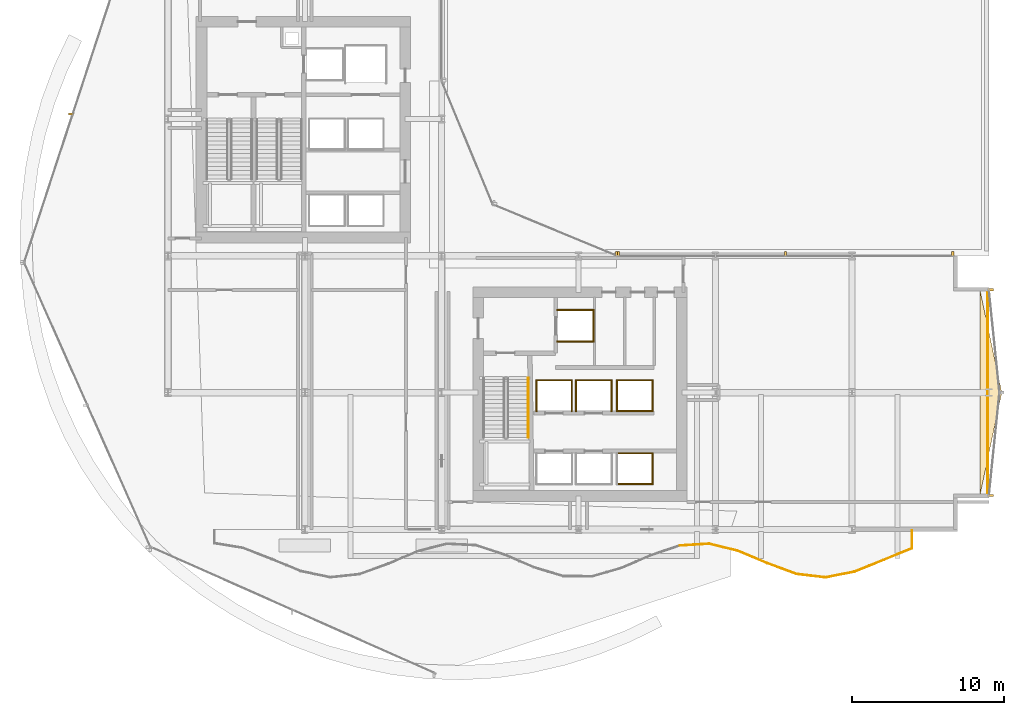
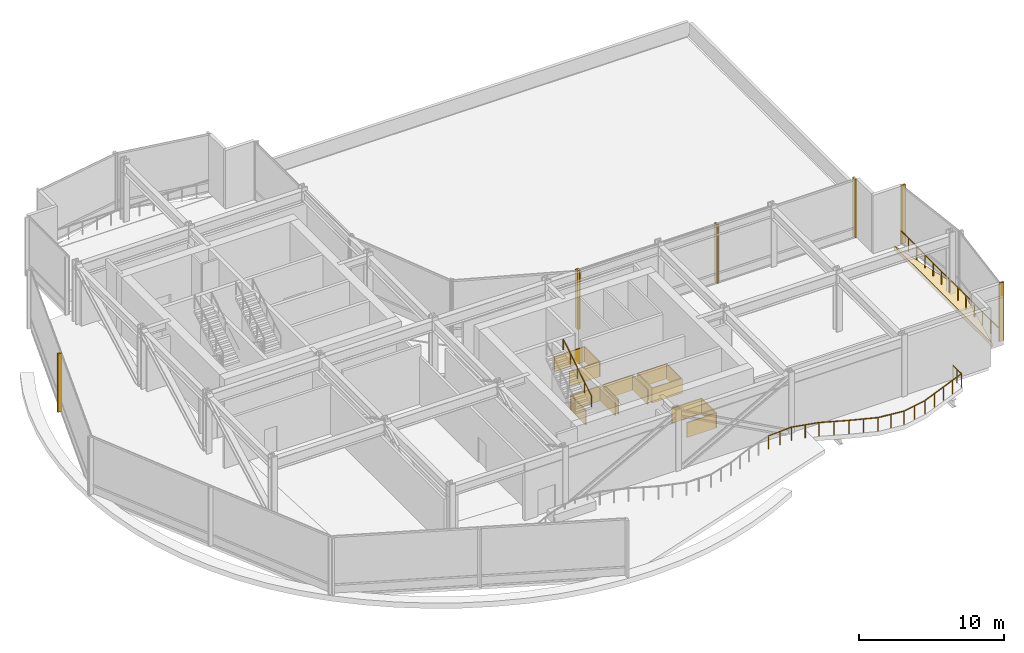
# One storey, part 34 of 37: 17 coverings, 11 railings, 7 shading devices.
"""IFC4 building model written with IfcOpenShell, lengths in metres."""

from ifc_helpers import new_model, si_unit, direction, frame, origin, origin_2d, place, context, subcontext, project, spatial, polyline, rectangle, circle, outline, extrude, material, layer, layer_set, type_object, element, save


model = new_model("IFC4")

# Units and contexts
model_context = context("Model", 3, precision=1e-05, world=origin(), true_north=direction((0.0, 1.0)))
body_context = subcontext(model_context, "Body", "Model", "MODEL_VIEW")
ifc_project = project(units=[si_unit("LENGTHUNIT", "METRE"), si_unit("AREAUNIT", "SQUARE_METRE"), si_unit("VOLUMEUNIT", "CUBIC_METRE"), si_unit("PLANEANGLEUNIT", "RADIAN"), si_unit("MASSUNIT", "GRAM", prefix="KILO")], contexts=[model_context])

# Site, building, storey
site_placement = place(None, origin())
site = spatial("IfcSite", under=ifc_project, at=site_placement, CompositionType="ELEMENT")
building_placement = place(site_placement, origin())
building = spatial("IfcBuilding", under=site, at=building_placement, Name="Solvaryn Broadcast Tower", CompositionType="ELEMENT")
storey_placement = place(building_placement, frame((0.0, 0.0, 30.800048828125)))
storey = spatial("IfcBuildingStorey", under=building, at=storey_placement, Name="L06", CompositionType="ELEMENT", Elevation=30.800048828125)

# Coverings
ifc_material_1 = material(Name="Fire-Rated Gypsum Shaftwall Liner", Category="concrete")
ifc_layer_1 = layer(ifc_material_1, 0.080078125)
ifc_layer_set_1 = layer_set([ifc_layer_1], Name="CV-SHAFT-LINER")
covering_type_1 = type_object("IfcCoveringType", Name="CV-SHAFT-LINER", PredefinedType="CLADDING", material=ifc_layer_set_1)
for number, where, z_axis, x_axis, name in (
    (1, (35.800048828125, 23.43994140625, 0.0), (0.0, 0.0, 1.0), (1.0, 0.0, 0.0), "L06 FL2 Hoistway Shaft Liner North"),
    (2, (35.800048828125, 21.360107421875, 0.0), (0.0, 0.0, 1.0), (1.0, 0.0, 0.0), "L06 FL2 Hoistway Shaft Liner South"),
):
    element("IfcCovering", number, at=place(storey_placement, frame(where, z_axis=z_axis, x_axis=x_axis)), inside=storey, type_object=covering_type_1, Name=name, PredefinedType="CLADDING", context=body_context, shape_type="SweptSolid", body=[
        extrude(rectangle(XDim=2.4599609375, YDim=0.080078125, at=origin_2d()), origin(), (0.0, 0.0, 1.0), 1.25),
    ])
covering_1_placement = place(storey_placement, frame((36.989990234375, 22.39990234375, 0.0), z_axis=(0.0, 0.0, 1.0), x_axis=(1.0, 0.0, 0.0)))
element("IfcCovering", 3, at=covering_1_placement, inside=storey, type_object=covering_type_1, Name="L06 FL2 Hoistway Shaft Liner East", PredefinedType="CLADDING", context=body_context, shape_type="SweptSolid", body=[
    extrude(rectangle(XDim=0.080078125, YDim=2.159912109375, at=origin_2d()), origin(), (0.0, 0.0, 1.0), 1.25),
])
covering_2_placement = place(storey_placement, frame((34.39990234375, 18.81494140625, 0.0), z_axis=(0.0, 0.0, 1.0), x_axis=(1.0, 0.0, 0.0)))
element("IfcCovering", 4, at=covering_2_placement, inside=storey, type_object=covering_type_1, Name="L06 PL3 Hoistway Shaft Liner North", PredefinedType="CLADDING", context=body_context, shape_type="SweptSolid", body=[
    extrude(rectangle(XDim=2.409912109375, YDim=0.080078125, at=origin_2d()), origin(), (0.0, 0.0, 1.0), 1.25),
])
for number, where, z_axis, x_axis, name in (
    (5, (35.56494140625, 17.800048828125, 0.0), (0.0, 0.0, 1.0), (1.0, 0.0, 0.0), "L06 PL3 Hoistway Shaft Liner East"),
    (6, (33.235107421875, 17.800048828125, 0.0), (0.0, 0.0, 1.0), (1.0, 0.0, 0.0), "L06 PL3 Hoistway Shaft Liner West"),
):
    element("IfcCovering", number, at=place(storey_placement, frame(where, z_axis=z_axis, x_axis=x_axis)), inside=storey, type_object=covering_type_1, Name=name, PredefinedType="CLADDING", context=body_context, shape_type="SweptSolid", body=[
        extrude(rectangle(XDim=0.080078125, YDim=2.110107421875, at=origin_2d()), origin(), (0.0, 0.0, 1.0), 1.25),
    ])
covering_3_placement = place(storey_placement, frame((37.0, 18.81494140625, 0.0), z_axis=(0.0, 0.0, 1.0), x_axis=(1.0, 0.0, 0.0)))
element("IfcCovering", 7, at=covering_3_placement, inside=storey, type_object=covering_type_1, Name="L06 PL4 Hoistway Shaft Liner North", PredefinedType="CLADDING", context=body_context, shape_type="SweptSolid", body=[
    extrude(rectangle(XDim=2.409912109375, YDim=0.080078125, at=origin_2d()), origin(), (0.0, 0.0, 1.0), 1.25),
])
for number, where, z_axis, x_axis, name in (
    (8, (38.1650390625, 17.800048828125, 0.0), (0.0, 0.0, 1.0), (1.0, 0.0, 0.0), "L06 PL4 Hoistway Shaft Liner East"),
    (9, (35.8349609375, 17.800048828125, 0.0), (0.0, 0.0, 1.0), (1.0, 0.0, 0.0), "L06 PL4 Hoistway Shaft Liner West"),
):
    element("IfcCovering", number, at=place(storey_placement, frame(where, z_axis=z_axis, x_axis=x_axis)), inside=storey, type_object=covering_type_1, Name=name, PredefinedType="CLADDING", context=body_context, shape_type="SweptSolid", body=[
        extrude(rectangle(XDim=0.080078125, YDim=2.110107421875, at=origin_2d()), origin(), (0.0, 0.0, 1.0), 1.25),
    ])
for number, where, z_axis, x_axis, name in (
    (10, (39.699951171875, 14.014892578125, 0.0), (0.0, 0.0, 1.0), (1.0, 0.0, 0.0), "L06 PM1 Hoistway Shaft Liner North"),
    (11, (39.699951171875, 11.985107421875, 0.0), (0.0, 0.0, 1.0), (1.0, 0.0, 0.0), "L06 PM1 Hoistway Shaft Liner South"),
):
    element("IfcCovering", number, at=place(storey_placement, frame(where, z_axis=z_axis, x_axis=x_axis)), inside=storey, type_object=covering_type_1, Name=name, PredefinedType="CLADDING", context=body_context, shape_type="SweptSolid", body=[
        extrude(rectangle(XDim=2.409912109375, YDim=0.080078125, at=origin_2d()), origin(), (0.0, 0.0, 1.0), 1.25),
    ])
covering_4_placement = place(storey_placement, frame((40.864990234375, 13.0, 0.0), z_axis=(0.0, 0.0, 1.0), x_axis=(1.0, 0.0, 0.0)))
element("IfcCovering", 12, at=covering_4_placement, inside=storey, type_object=covering_type_1, Name="L06 PM1 Hoistway Shaft Liner East", PredefinedType="CLADDING", context=body_context, shape_type="SweptSolid", body=[
    extrude(rectangle(XDim=0.080078125, YDim=2.110107421875, at=origin_2d()), origin(), (0.0, 0.0, 1.0), 1.25),
])
for number, where, z_axis, x_axis, name in (
    (13, (39.699951171875, 18.81494140625, 0.0), (0.0, 0.0, 1.0), (1.0, 0.0, 0.0), "L06 PM2 Hoistway Shaft Liner North"),
    (14, (39.699951171875, 16.784912109375, 0.0), (0.0, 0.0, 1.0), (1.0, 0.0, 0.0), "L06 PM2 Hoistway Shaft Liner South"),
):
    element("IfcCovering", number, at=place(storey_placement, frame(where, z_axis=z_axis, x_axis=x_axis)), inside=storey, type_object=covering_type_1, Name=name, PredefinedType="CLADDING", context=body_context, shape_type="SweptSolid", body=[
        extrude(rectangle(XDim=2.409912109375, YDim=0.080078125, at=origin_2d()), origin(), (0.0, 0.0, 1.0), 1.25),
    ])
for number, where, z_axis, x_axis, name in (
    (15, (40.864990234375, 17.800048828125, 0.0), (0.0, 0.0, 1.0), (1.0, 0.0, 0.0), "L06 PM2 Hoistway Shaft Liner East"),
    (16, (38.534912109375, 17.800048828125, 0.0), (0.0, 0.0, 1.0), (1.0, 0.0, 0.0), "L06 PM2 Hoistway Shaft Liner West"),
):
    element("IfcCovering", number, at=place(storey_placement, frame(where, z_axis=z_axis, x_axis=x_axis)), inside=storey, type_object=covering_type_1, Name=name, PredefinedType="CLADDING", context=body_context, shape_type="SweptSolid", body=[
        extrude(rectangle(XDim=0.080078125, YDim=2.110107421875, at=origin_2d()), origin(), (0.0, 0.0, 1.0), 1.25),
    ])
ifc_material_2 = material(Name="Sculpted Architectural Terracotta Wave Fascia", Category="masonry")
ifc_layer_2 = layer(ifc_material_2, 0.340087890625)
ifc_layer_set_2 = layer_set([ifc_layer_2], Name="CV-WAVE-TRAY")
covering_type_2 = type_object("IfcCoveringType", Name="CV-WAVE-TRAY", PredefinedType="CLADDING", material=ifc_layer_set_2)
covering_5_placement = place(storey_placement, frame((0.0, 0.0, -0.300048828125)))
element("IfcCovering", 17, at=covering_5_placement, inside=storey, type_object=covering_type_2, Name="L06 East Curved Wing Deck", PredefinedType="CLADDING", context=body_context, shape_type="SweptSolid", body=[
    extrude(outline(polyline([(62.39990234375, 11.199951171875), (63.85009765625, 18.0), (62.39990234375, 24.800048828125), (62.39990234375, 11.199951171875)])), origin(), (0.0, 0.0, 1.0), 0.330078125),
])

# Railings
ifc_material_3 = material(Name="Brushed Stainless Steel Tubular Handrail", Category="steel")
railing_type_1 = type_object("IfcRailingType", Name="RL-STAIR-HANDRAIL", PredefinedType="HANDRAIL", material=ifc_material_3)
railing_1_placement = place(storey_placement, frame((32.699951171875, 15.0400390625, 2.773193359375)))
element("IfcRailing", 18, at=railing_1_placement, inside=storey, type_object=railing_type_1, Name="L06 ST3 stair handrail 2", PredefinedType="HANDRAIL", context=body_context, shape_type="SweptSolid", body=[
    extrude(circle(Radius=0.02392578125, at=origin_2d()), frame((0.0, 0.0, 0.8759765625), z_axis=(0.0, 0.850251603719, 0.526376491091), x_axis=(-1.0, 0.0, 0.0)), (0.0, 0.0, 1.0), 4.6103515625),
    extrude(circle(Radius=0.02099609375, at=origin_2d()), origin(), (0.0, 0.0, 1.0), 0.851806640625),
    extrude(circle(Radius=0.02099609375, at=origin_2d()), frame((0.0, 0.97998046875, 0.606689453125)), (0.0, 0.0, 1.0), 0.851806640625),
    extrude(circle(Radius=0.02099609375, at=origin_2d()), frame((0.0, 1.9599609375, 1.21337890625)), (0.0, 0.0, 1.0), 0.851806640625),
    extrude(circle(Radius=0.02099609375, at=origin_2d()), frame((0.0, 2.93994140625, 1.820068359375)), (0.0, 0.0, 1.0), 0.851806640625),
    extrude(circle(Radius=0.02099609375, at=origin_2d()), frame((0.0, 3.919921875, 2.4267578125)), (0.0, 0.0, 1.0), 0.851806640625),
])
ifc_material_4 = material(Name="Stainless Steel and Laminated Glass Guard", Category="steel")
railing_type_2 = type_object("IfcRailingType", Name="RL-TER-1150", PredefinedType="BALUSTRADE", material=ifc_material_4)
railing_2_placement = place(storey_placement, frame((62.919921875, 11.199951171875, 0.0)))
element("IfcRailing", 19, at=railing_2_placement, inside=storey, type_object=railing_type_2, Name="L06 East Wing Spandrel Edge Guard", PredefinedType="BALUSTRADE", context=body_context, shape_type="SweptSolid", body=[
    extrude(circle(Radius=0.02392578125, at=origin_2d()), frame((0.0, 0.0, 1.1259765625), z_axis=(0.0, 1.0, 0.0), x_axis=(-1.0, 0.0, 0.0)), (0.0, 0.0, 1.0), 13.60009765625),
    extrude(circle(Radius=0.02099609375, at=origin_2d()), origin(), (0.0, 0.0, 1.0), 1.101806640625),
    extrude(circle(Radius=0.02099609375, at=origin_2d()), frame((0.0, 1.13330078125, 0.0)), (0.0, 0.0, 1.0), 1.101806640625),
    extrude(circle(Radius=0.02099609375, at=origin_2d()), frame((0.0, 2.2666015625, 0.0)), (0.0, 0.0, 1.0), 1.101806640625),
    extrude(circle(Radius=0.02099609375, at=origin_2d()), frame((0.0, 3.39990234375, 0.0)), (0.0, 0.0, 1.0), 1.101806640625),
    extrude(circle(Radius=0.02099609375, at=origin_2d()), frame((0.0, 4.533447265625, 0.0)), (0.0, 0.0, 1.0), 1.101806640625),
    extrude(circle(Radius=0.02099609375, at=origin_2d()), frame((0.0, 5.666748046875, 0.0)), (0.0, 0.0, 1.0), 1.101806640625),
    extrude(circle(Radius=0.02099609375, at=origin_2d()), frame((0.0, 6.800048828125, 0.0)), (0.0, 0.0, 1.0), 1.101806640625),
    extrude(circle(Radius=0.02099609375, at=origin_2d()), frame((0.0, 7.933349609375, 0.0)), (0.0, 0.0, 1.0), 1.101806640625),
    extrude(circle(Radius=0.02099609375, at=origin_2d()), frame((0.0, 9.066650390625, 0.0)), (0.0, 0.0, 1.0), 1.101806640625),
    extrude(circle(Radius=0.02099609375, at=origin_2d()), frame((0.0, 10.2001953125, 0.0)), (0.0, 0.0, 1.0), 1.101806640625),
    extrude(circle(Radius=0.02099609375, at=origin_2d()), frame((0.0, 11.33349609375, 0.0)), (0.0, 0.0, 1.0), 1.101806640625),
    extrude(circle(Radius=0.02099609375, at=origin_2d()), frame((0.0, 12.466796875, 0.0)), (0.0, 0.0, 1.0), 1.101806640625),
    extrude(circle(Radius=0.02099609375, at=origin_2d()), frame((0.0, 13.60009765625, 0.0)), (0.0, 0.0, 1.0), 1.101806640625),
])
railing_3_placement = place(storey_placement, frame((42.666748046875, 7.934326171875, 0.0)))
element("IfcRailing", 20, at=railing_3_placement, inside=storey, type_object=railing_type_2, Name="L06 Terrace Guard TS06S-18", PredefinedType="BALUSTRADE", context=body_context, shape_type="SweptSolid", body=[
    extrude(circle(Radius=0.02392578125, at=origin_2d()), frame((0.0, 0.0, 1.1259765625), z_axis=(0.998001794113, 0.063185591296, 0.0), x_axis=(-0.063185591296, 0.998001794113, 0.0)), (0.0, 0.0, 1.0), 1.92041015625),
    extrude(circle(Radius=0.02099609375, at=origin_2d()), origin(), (0.0, 0.0, 1.0), 1.101806640625),
    extrude(circle(Radius=0.02099609375, at=origin_2d()), frame((0.958251953125, 0.060546875, 0.0)), (0.0, 0.0, 1.0), 1.101806640625),
    extrude(circle(Radius=0.02099609375, at=origin_2d()), frame((1.91650390625, 0.121337890625, 0.0)), (0.0, 0.0, 1.0), 1.101806640625),
])
railing_4_placement = place(storey_placement, frame((44.583251953125, 8.0556640625, 0.0)))
element("IfcRailing", 21, at=railing_4_placement, inside=storey, type_object=railing_type_2, Name="L06 Terrace Guard TS06S-19", PredefinedType="BALUSTRADE", context=body_context, shape_type="SweptSolid", body=[
    extrude(circle(Radius=0.02392578125, at=origin_2d()), frame((0.0, 0.0, 1.1259765625), z_axis=(0.971145469944, -0.238487895307, 0.0), x_axis=(0.238487895307, 0.971145469944, 0.0)), (0.0, 0.0, 1.0), 1.9736328125),
    extrude(circle(Radius=0.02099609375, at=origin_2d()), origin(), (0.0, 0.0, 1.0), 1.101806640625),
    extrude(circle(Radius=0.02099609375, at=origin_2d()), frame((0.95849609375, -0.2353515625, 0.0)), (0.0, 0.0, 1.0), 1.101806640625),
    extrude(circle(Radius=0.02099609375, at=origin_2d()), frame((1.916748046875, -0.470703125, 0.0)), (0.0, 0.0, 1.0), 1.101806640625),
])
railing_5_placement = place(storey_placement, frame((46.5, 7.5849609375, 0.0)))
element("IfcRailing", 22, at=railing_5_placement, inside=storey, type_object=railing_type_2, Name="L06 Terrace Guard TS06S-20", PredefinedType="BALUSTRADE", context=body_context, shape_type="SweptSolid", body=[
    extrude(circle(Radius=0.02392578125, at=origin_2d()), frame((0.0, 0.0, 1.1259765625), z_axis=(0.921412096181, -0.388586861604, 0.0), x_axis=(0.388586861604, 0.921412096181, 0.0)), (0.0, 0.0, 1.0), 2.080322265625),
    extrude(circle(Radius=0.02099609375, at=origin_2d()), origin(), (0.0, 0.0, 1.0), 1.101806640625),
    extrude(circle(Radius=0.02099609375, at=origin_2d()), frame((0.95849609375, -0.404296875, 0.0)), (0.0, 0.0, 1.0), 1.101806640625),
    extrude(circle(Radius=0.02099609375, at=origin_2d()), frame((1.916748046875, -0.808349609375, 0.0)), (0.0, 0.0, 1.0), 1.101806640625),
])
railing_6_placement = place(storey_placement, frame((48.416748046875, 6.776611328125, 0.0)))
element("IfcRailing", 23, at=railing_6_placement, inside=storey, type_object=railing_type_2, Name="L06 Terrace Guard TS06S-21", PredefinedType="BALUSTRADE", context=body_context, shape_type="SweptSolid", body=[
    extrude(circle(Radius=0.02392578125, at=origin_2d()), frame((0.0, 0.0, 1.1259765625), z_axis=(0.937842400609, -0.34706142341, 0.0), x_axis=(0.34706142341, 0.937842400609, 0.0)), (0.0, 0.0, 1.0), 2.04345703125),
    extrude(circle(Radius=0.02099609375, at=origin_2d()), origin(), (0.0, 0.0, 1.0), 1.101806640625),
    extrude(circle(Radius=0.02099609375, at=origin_2d()), frame((0.958251953125, -0.3544921875, 0.0)), (0.0, 0.0, 1.0), 1.101806640625),
    extrude(circle(Radius=0.02099609375, at=origin_2d()), frame((1.91650390625, -0.709228515625, 0.0)), (0.0, 0.0, 1.0), 1.101806640625),
])
railing_7_placement = place(storey_placement, frame((50.333251953125, 6.0673828125, 0.0)))
element("IfcRailing", 24, at=railing_7_placement, inside=storey, type_object=railing_type_2, Name="L06 Terrace Guard TS06S-22", PredefinedType="BALUSTRADE", context=body_context, shape_type="SweptSolid", body=[
    extrude(circle(Radius=0.02392578125, at=origin_2d()), frame((0.0, 0.0, 1.1259765625), z_axis=(0.993057040946, -0.117633810735, 0.0), x_axis=(0.117633810735, 0.993057040946, 0.0)), (0.0, 0.0, 1.0), 1.93017578125),
    extrude(circle(Radius=0.02099609375, at=origin_2d()), origin(), (0.0, 0.0, 1.0), 1.101806640625),
    extrude(circle(Radius=0.02099609375, at=origin_2d()), frame((0.95849609375, -0.113525390625, 0.0)), (0.0, 0.0, 1.0), 1.101806640625),
    extrude(circle(Radius=0.02099609375, at=origin_2d()), frame((1.916748046875, -0.22705078125, 0.0)), (0.0, 0.0, 1.0), 1.101806640625),
])
railing_8_placement = place(storey_placement, frame((52.25, 5.84033203125, 0.0)))
element("IfcRailing", 25, at=railing_8_placement, inside=storey, type_object=railing_type_2, Name="L06 Terrace Guard TS06S-23", PredefinedType="BALUSTRADE", context=body_context, shape_type="SweptSolid", body=[
    extrude(circle(Radius=0.02392578125, at=origin_2d()), frame((0.0, 0.0, 1.1259765625), z_axis=(0.981110557359, 0.193447859227, 0.0), x_axis=(-0.193447859227, 0.981110557359, 0.0)), (0.0, 0.0, 1.0), 1.95361328125),
    extrude(circle(Radius=0.02099609375, at=origin_2d()), origin(), (0.0, 0.0, 1.0), 1.101806640625),
    extrude(circle(Radius=0.02099609375, at=origin_2d()), frame((0.95849609375, 0.18896484375, 0.0)), (0.0, 0.0, 1.0), 1.101806640625),
    extrude(circle(Radius=0.02099609375, at=origin_2d()), frame((1.916748046875, 0.3779296875, 0.0)), (0.0, 0.0, 1.0), 1.101806640625),
])
railing_9_placement = place(storey_placement, frame((54.166748046875, 6.21826171875, 0.0)))
element("IfcRailing", 26, at=railing_9_placement, inside=storey, type_object=railing_type_2, Name="L06 Terrace Guard TS06S-24", PredefinedType="BALUSTRADE", context=body_context, shape_type="SweptSolid", body=[
    extrude(circle(Radius=0.02392578125, at=origin_2d()), frame((0.0, 0.0, 1.1259765625), z_axis=(0.926469149238, 0.376370715531, 0.0), x_axis=(-0.376370715531, 0.926469149238, 0.0)), (0.0, 0.0, 1.0), 2.068603515625),
    extrude(circle(Radius=0.02099609375, at=origin_2d()), origin(), (0.0, 0.0, 1.0), 1.101806640625),
    extrude(circle(Radius=0.02099609375, at=origin_2d()), frame((0.958251953125, 0.38916015625, 0.0)), (0.0, 0.0, 1.0), 1.101806640625),
    extrude(circle(Radius=0.02099609375, at=origin_2d()), frame((1.91650390625, 0.778564453125, 0.0)), (0.0, 0.0, 1.0), 1.101806640625),
])
railing_10_placement = place(storey_placement, frame((56.083251953125, 6.996826171875, 0.0)))
element("IfcRailing", 27, at=railing_10_placement, inside=storey, type_object=railing_type_2, Name="L06 Terrace Guard TS06S-25", PredefinedType="BALUSTRADE", context=body_context, shape_type="SweptSolid", body=[
    extrude(circle(Radius=0.02392578125, at=origin_2d()), frame((0.0, 0.0, 1.1259765625), z_axis=(0.925680682726, 0.378305793808, 0.0), x_axis=(-0.378305793808, 0.925680682726, 0.0)), (0.0, 0.0, 1.0), 2.005859375),
    extrude(circle(Radius=0.02099609375, at=origin_2d()), origin(), (0.0, 0.0, 1.0), 1.101806640625),
    extrude(circle(Radius=0.02099609375, at=origin_2d()), frame((0.92822265625, 0.37939453125, 0.0)), (0.0, 0.0, 1.0), 1.101806640625),
    extrude(circle(Radius=0.02099609375, at=origin_2d()), frame((1.856689453125, 0.7587890625, 0.0)), (0.0, 0.0, 1.0), 1.101806640625),
])
railing_11_placement = place(storey_placement, frame((57.93994140625, 7.755615234375, 0.0)))
element("IfcRailing", 28, at=railing_11_placement, inside=storey, type_object=railing_type_2, Name="L06 Terrace Guard TS06S-26", PredefinedType="BALUSTRADE", context=body_context, shape_type="SweptSolid", body=[
    extrude(circle(Radius=0.02392578125, at=origin_2d()), frame((0.0, 0.0, 1.1259765625), z_axis=(0.0, 1.0, 0.0), x_axis=(-1.0, 0.0, 0.0)), (0.0, 0.0, 1.0), 1.184326171875),
    extrude(circle(Radius=0.02099609375, at=origin_2d()), origin(), (0.0, 0.0, 1.0), 1.101806640625),
    extrude(circle(Radius=0.02099609375, at=origin_2d()), frame((0.0, 0.59228515625, 0.0)), (0.0, 0.0, 1.0), 1.101806640625),
    extrude(circle(Radius=0.02099609375, at=origin_2d()), frame((0.0, 1.184326171875, 0.0)), (0.0, 0.0, 1.0), 1.101806640625),
])

# Shading devices
ifc_material_5 = material(Name="Anodised Aluminium Acoustic Louvre", Category="aluminium")
shading_device_type = type_object("IfcShadingDeviceType", Name="LV-01 Plant Intake Louvre", PredefinedType="USERDEFINED", material=ifc_material_5)
shading_device_1_placement = place(storey_placement, frame((2.612060546875, 36.325439453125, 0.0), z_axis=(0.0, 0.0, 1.0), x_axis=(1.0, 0.0, 0.0)))
element("IfcShadingDevice", 29, at=shading_device_1_placement, inside=storey, type_object=shading_device_type, Name="L06 Plant Acoustic Louvre LV-CW-L06-DR1/M01", ObjectType="LOUVRE", PredefinedType="USERDEFINED", context=body_context, shape_type="SweptSolid", body=[
    extrude(rectangle(XDim=0.340087890625, YDim=0.139892578125, at=origin_2d()), origin(), (0.0, 0.0, 1.0), 4.919921875),
])
shading_device_2_placement = place(storey_placement, frame((38.518310546875, 27.12255859375, 0.0), z_axis=(0.0, 0.0, 1.0), x_axis=(1.0, 0.0, 0.0)))
element("IfcShadingDevice", 30, at=shading_device_2_placement, inside=storey, type_object=shading_device_type, Name="L06 Plant Acoustic Louvre LV-CW-L06-CN1/M00", ObjectType="LOUVRE", PredefinedType="USERDEFINED", context=body_context, shape_type="SweptSolid", body=[
    extrude(rectangle(XDim=0.139892578125, YDim=0.340087890625, at=origin_2d()), origin(), (0.0, 0.0, 1.0), 4.919921875),
])
for number, where, z_axis, x_axis, name in (
    (31, (63.128173828125, 24.770263671875, 0.0), (0.0, 0.0, 1.0), (1.0, 0.0, 0.0), "L06 Plant Acoustic Louvre LV-CW-L06-ET1/M00"),
    (32, (63.128173828125, 11.229736328125, 0.0), (0.0, 0.0, 1.0), (1.0, 0.0, 0.0), "L06 Plant Acoustic Louvre LV-CW-L06-ET2/M01"),
):
    element("IfcShadingDevice", number, at=place(storey_placement, frame(where, z_axis=z_axis, x_axis=x_axis)), inside=storey, type_object=shading_device_type, Name=name, ObjectType="LOUVRE", PredefinedType="USERDEFINED", context=body_context, shape_type="SweptSolid", body=[
        extrude(rectangle(XDim=0.340087890625, YDim=0.139892578125, at=origin_2d()), origin(), (0.0, 0.0, 1.0), 4.919921875),
    ])
for number, where, z_axis, x_axis, name in (
    (33, (38.6298828125, 27.125, 0.0), (0.0, 0.0, 1.0), (1.0, 0.0, 0.0), "L06 Plant Acoustic Louvre LV-CW-L06-IH/M00"),
    (34, (49.625, 27.125, 0.0), (0.0, 0.0, 1.0), (1.0, 0.0, 0.0), "L06 Plant Acoustic Louvre LV-CW-L06-IH/M01"),
    (35, (60.6201171875, 27.125, 0.0), (0.0, 0.0, 1.0), (1.0, 0.0, 0.0), "L06 Plant Acoustic Louvre LV-CW-L06-IH/M02"),
):
    element("IfcShadingDevice", number, at=place(storey_placement, frame(where, z_axis=z_axis, x_axis=x_axis)), inside=storey, type_object=shading_device_type, Name=name, ObjectType="LOUVRE", PredefinedType="USERDEFINED", context=body_context, shape_type="SweptSolid", body=[
        extrude(rectangle(XDim=0.139892578125, YDim=0.340087890625, at=origin_2d()), origin(), (0.0, 0.0, 1.0), 4.919921875),
    ])

save(model, "model.ifc")
